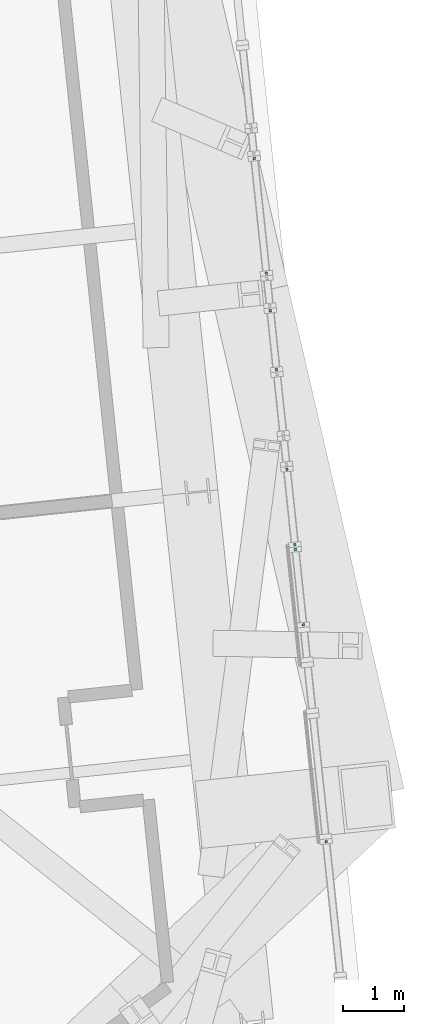
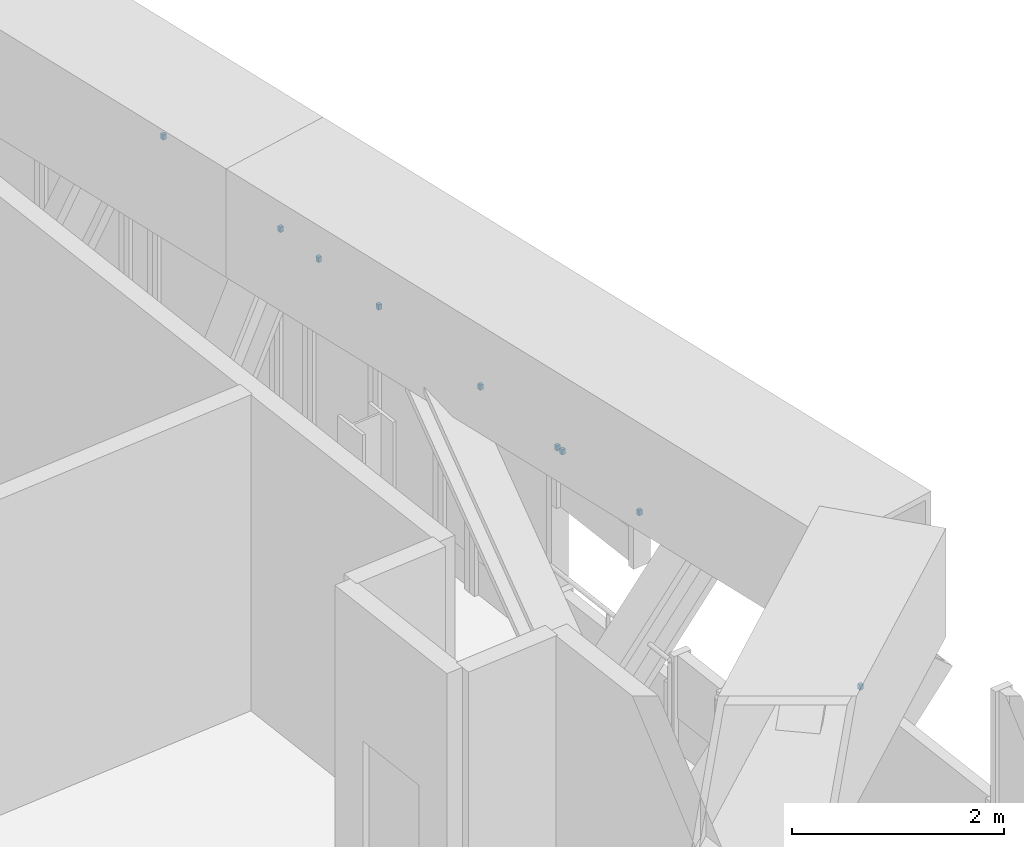
# One storey, part 26 of 30: 9 discrete accessories.
"""IFC4 building model written with IfcOpenShell, lengths in metres."""

from ifc_helpers import new_model, si_unit, direction, frame, origin, origin_2d, place, context, subcontext, project, spatial, rectangle, extrude, source, transform, mapped, material, element, save


model = new_model("IFC4")

# Units and contexts
model_context = context("Model", 3, precision=1e-05, world=origin(), true_north=direction((0.0, 1.0)))
body_context = subcontext(model_context, "Body", "Model", "MODEL_VIEW")
ifc_project = project(units=[si_unit("LENGTHUNIT", "METRE"), si_unit("AREAUNIT", "SQUARE_METRE"), si_unit("VOLUMEUNIT", "CUBIC_METRE"), si_unit("PLANEANGLEUNIT", "RADIAN"), si_unit("MASSUNIT", "GRAM", prefix="KILO")], contexts=[model_context])

# Site, building, storey
site_placement = place(None, origin())
site = spatial("IfcSite", under=ifc_project, at=site_placement, CompositionType="ELEMENT")
building_placement = place(site_placement, origin())
building = spatial("IfcBuilding", under=site, at=building_placement, Name="Triune Harvest Tower", CompositionType="ELEMENT")
storey_placement = place(building_placement, frame((0.0, 0.0, 94.5)))
storey = spatial("IfcBuildingStorey", under=building, at=storey_placement, Name="L23", CompositionType="ELEMENT", Elevation=94.5)

# Discrete accessories
ifc_material = material(Name="Steel ASTM A992 Gr 50", Category="steel")
shared_shape = source(origin(), body_context, "Body", "SweptSolid", [
    extrude(rectangle(XDim=0.0400390625, YDim=0.0400390625, at=origin_2d()), origin(), (0.0, 0.0, 1.0), 0.06005859375),
])
for number, where, z_axis, x_axis, name in (
    (1, (24.9990234375, -20.70654296875, 2.330078125), (0.0, 0.0, 1.0), (-0.104509369799, 0.994523901987, 0.0), "Mullion end bracket B2-F1 L23.101 upper"),
    (2, (24.62841796875, -17.178466796875, 2.330078125), (0.0, 0.0, 1.0), (-0.104533670571, 0.994521348045, 0.0), "Mullion end bracket B2-F1 L23.601 upper"),
    (3, (24.4990234375, -15.948974609375, 2.330078125), (0.0, 0.0, 1.0), (-0.104533670571, 0.994521348045, 0.0), "Mullion end bracket B2-F1 L23.601 upper"),
    (4, (24.49072265625, -15.869384765625, 2.330078125), (0.0, 0.0, 1.0), (-0.104526727499, 0.994522077803, 0.0), "Mullion end bracket B2-F1 L23.701 upper"),
    (5, (24.361572265625, -14.639892578125, 2.330078125), (0.0, 0.0, 1.0), (-0.104526727499, 0.994522077803, 0.0), "Mullion end bracket B2-F1 L23.701 upper"),
    (6, (24.19091796875, -13.0185546875, 2.330078125), (0.0, 0.0, 1.0), (-0.104530199036, 0.99452171293, 0.0), "Mullion end bracket B2-F1 L23.1001 upper"),
    (7, (24.090087890625, -12.05810546875, 2.330078125), (0.0, 0.0, 1.0), (-0.104530199036, 0.99452171293, 0.0), "Mullion end bracket B2-F1 L23.1001 upper"),
    (8, (24.026123046875, -11.449951171875, 2.330078125), (0.0, 0.0, 1.0), (-0.104552763991, 0.994519340959, 0.0), "Mullion end bracket B2-F1 L23.1201 upper"),
    (9, (23.82958984375, -9.57958984375, 2.330078125), (0.0, 0.0, 1.0), (-0.104552763991, 0.994519340959, 0.0), "Mullion end bracket B2-F1 L23.1201 upper"),
):
    element("IfcDiscreteAccessory", number, at=place(storey_placement, frame(where, z_axis=z_axis, x_axis=x_axis)), inside=storey, material=ifc_material, Name=name, ObjectType="BRACKET", PredefinedType="USERDEFINED", context=body_context, shape_type="MappedRepresentation", body=[
        mapped(shared_shape, transform((0.0, 0.0, 0.0), scale=1.0)),
    ])

save(model, "model.ifc")
